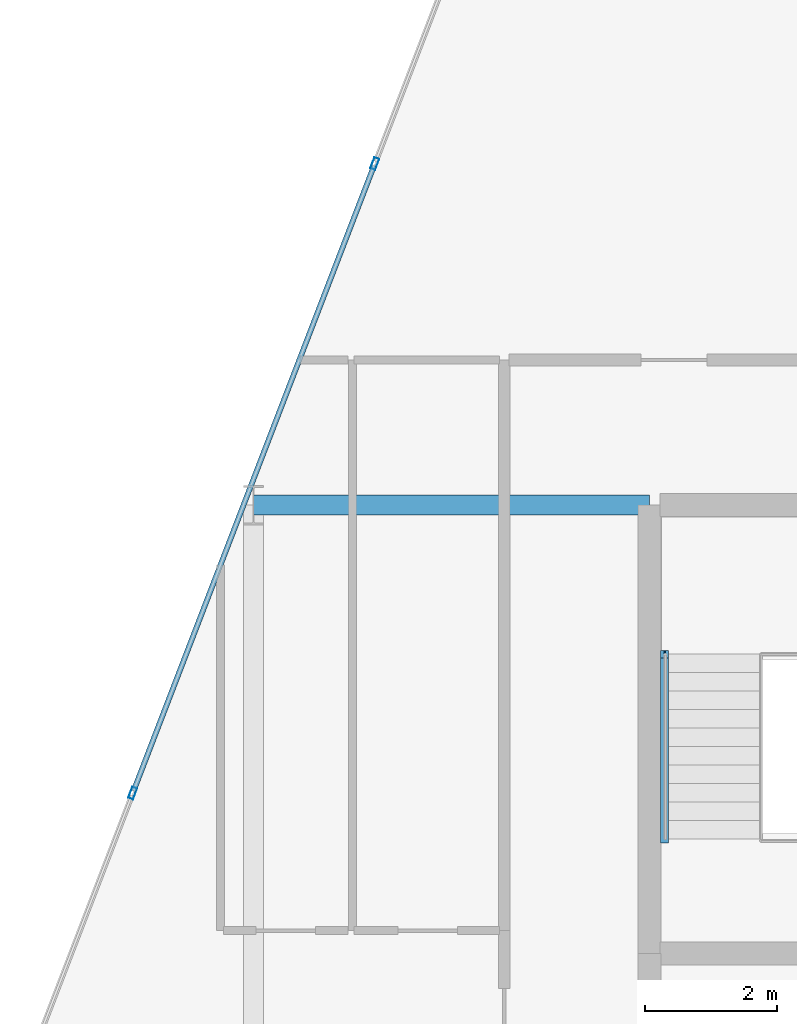
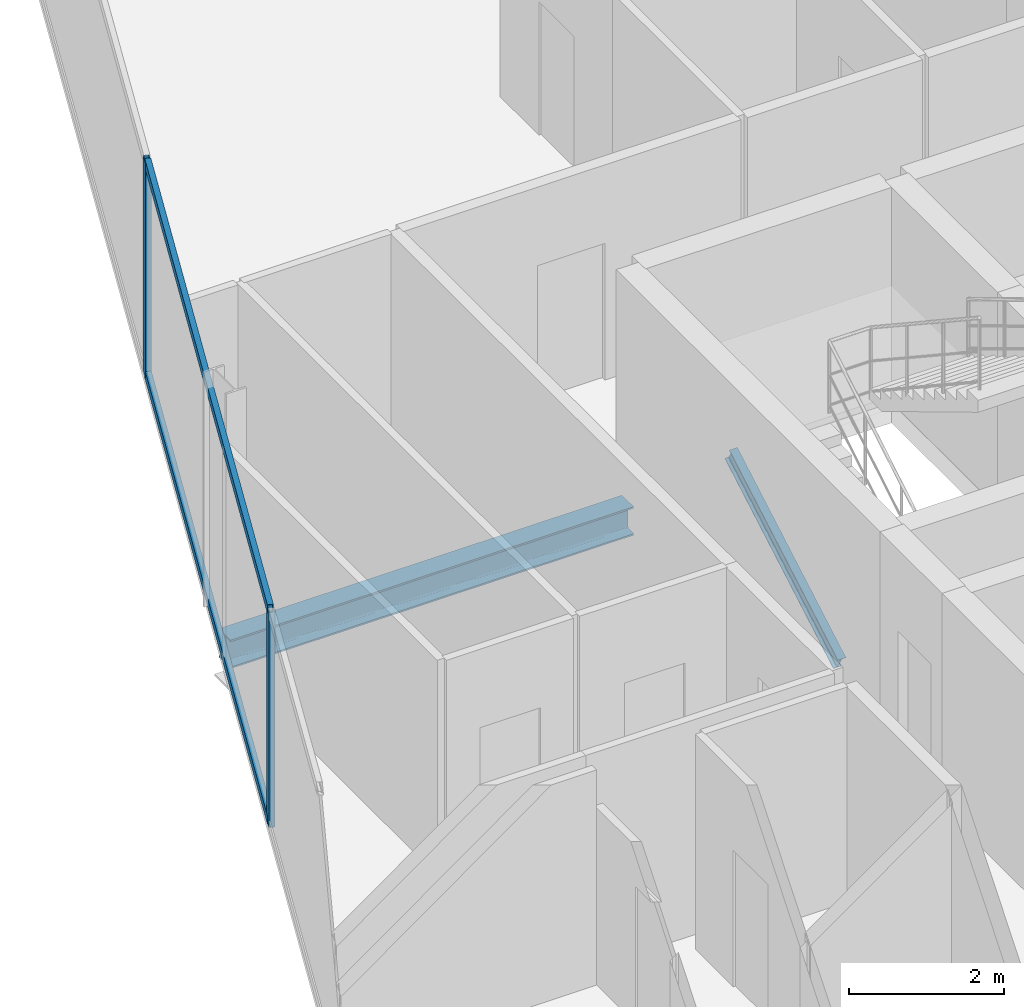
# One storey, part 14 of 29: 5 members, 1 beam, 1 element without a shape of its own.
"""IFC4 building model written with IfcOpenShell, lengths in metres."""

from ifc_helpers import new_model, si_unit, direction, frame, origin, origin_2d, place, context, subcontext, project, spatial, hollow_rectangle, i_section, extrude, material, layer, layer_set, material_profile, profile_set, type_object, element, aggregate, save


model = new_model("IFC4")

# Units and contexts
model_context = context("Model", 3, precision=1e-05, world=origin(), true_north=direction((0.0, 1.0)))
body_context = subcontext(model_context, "Body", "Model", "MODEL_VIEW")
ifc_project = project(units=[si_unit("LENGTHUNIT", "METRE"), si_unit("AREAUNIT", "SQUARE_METRE"), si_unit("VOLUMEUNIT", "CUBIC_METRE"), si_unit("PLANEANGLEUNIT", "RADIAN"), si_unit("MASSUNIT", "GRAM", prefix="KILO")], contexts=[model_context])

# Site, building, storey
site_placement = place(None, origin())
site = spatial("IfcSite", under=ifc_project, at=site_placement, CompositionType="ELEMENT")
building_placement = place(site_placement, origin())
building = spatial("IfcBuilding", under=site, at=building_placement, Name="Keshet Zoharim Tower", CompositionType="ELEMENT")
storey_placement = place(building_placement, frame((0.0, 0.0, 105.699951171875)))
storey = spatial("IfcBuildingStorey", under=building, at=storey_placement, Name="L25", CompositionType="ELEMENT", Elevation=105.699951171875)

# Beam
ifc_material_1 = material(Name="Steel S355", Category="steel")
ifc_material_profile_1 = material_profile(ifc_material_1, i_section(OverallWidth=0.300048828125, OverallDepth=0.449951171875, WebThickness=0.013916015625, FlangeThickness=0.02587890625, FilletRadius=0.027099609375, at=origin_2d()), Name="HEB450")
ifc_profile_set_1 = profile_set([ifc_material_profile_1], Name="Steel S355")
beam_type = type_object("IfcBeamType", Name="BM-WEB-HB450", PredefinedType="BEAM", material=ifc_profile_set_1)
beam_placement = place(storey_placement, frame((9.0, 37.89990234375, -0.5400390625), z_axis=(1.0, 0.0, 0.0), x_axis=(0.0, 1.0, 0.0)))
element("IfcBeam", 1, at=beam_placement, inside=storey, type_object=beam_type, Name="L25 Primary Girder X-018", PredefinedType="BEAM", context=body_context, shape_type="SweptSolid", body=[
    extrude(i_section(OverallWidth=0.300048828125, OverallDepth=0.449951171875, WebThickness=0.013916015625, FlangeThickness=0.02587890625, FilletRadius=0.027099609375, at=origin_2d()), origin(), (0.0, 0.0, 1.0), 6.0),
])

# Curtain wall, members
ifc_material_2 = material(Name="Aluminium 6063-T6", Category="aluminium")
ifc_layer = layer(ifc_material_2, 0.159912109375)
ifc_layer_set = layer_set([ifc_layer], Name="Aluminium 6063-T6")
curtain_wall_type = type_object("IfcCurtainWallType", Name="CW-SYS-03", PredefinedType="NOTDEFINED", material=ifc_layer_set)
curtain_wall_placement = place(storey_placement, origin())
curtain_wall = element("IfcCurtainWall", 2, at=curtain_wall_placement, inside=storey, type_object=curtain_wall_type, Name="L25 Unitised Curtain Wall 10", PredefinedType="NOTDEFINED")
ifc_material_profile_2 = material_profile(ifc_material_2, hollow_rectangle(XDim=0.080078125, YDim=0.179931640625, WallThickness=0.00439453125, at=origin_2d()), Name="MUL-80x180")
ifc_profile_set_2 = profile_set([ifc_material_profile_2], Name="Aluminium 6063-T6")
member_type_1 = type_object("IfcMemberType", Name="CWM-M18", PredefinedType="MULLION", material=ifc_profile_set_2)
member_1_placement = place(storey_placement, frame((7.1669921875, 33.53466796875, 0.0), z_axis=(0.0, 0.0, 1.0), x_axis=(-0.933341404361, 0.358990003907, 0.0)))
member_1 = element("IfcMember", 3, at=member_1_placement, type_object=member_type_1, Name="CW-03 mullion 2", PredefinedType="MULLION", context=body_context, shape_type="SweptSolid", body=[
    extrude(hollow_rectangle(XDim=0.080078125, YDim=0.179931640625, WallThickness=0.00439453125, at=origin_2d()), origin(), (0.0, 0.0, 1.0), 3.385009765625),
])
member_2_placement = place(storey_placement, frame((10.8369140625, 43.076416015625, 0.0), z_axis=(0.0, 0.0, 1.0), x_axis=(-0.933341404361, 0.358990003907, 0.0)))
member_2 = element("IfcMember", 4, at=member_2_placement, type_object=member_type_1, Name="CW-03 mullion 3", PredefinedType="MULLION", context=body_context, shape_type="SweptSolid", body=[
    extrude(hollow_rectangle(XDim=0.080078125, YDim=0.179931640625, WallThickness=0.00439453125, at=origin_2d()), origin(), (0.0, 0.0, 1.0), 3.385009765625),
])
ifc_material_profile_3 = material_profile(ifc_material_2, hollow_rectangle(XDim=0.080078125, YDim=0.139892578125, WallThickness=0.00390625, at=origin_2d()), Name="TRN-80x140")
ifc_profile_set_3 = profile_set([ifc_material_profile_3], Name="Aluminium 6063-T6")
member_type_2 = type_object("IfcMemberType", Name="CWT-T14", PredefinedType="USERDEFINED", material=ifc_profile_set_3)
member_3_placement = place(storey_placement, frame((7.179443359375, 33.5673828125, 0.03515625), z_axis=(0.359003248899, 0.933336309848, 0.0), x_axis=(-0.933336309848, 0.359003248899, 0.0)))
member_3 = element("IfcMember", 5, at=member_3_placement, type_object=member_type_2, Name="CW-03 transom 2.1", ObjectType="TRANSOM", PredefinedType="USERDEFINED", context=body_context, shape_type="SweptSolid", body=[
    extrude(hollow_rectangle(XDim=0.080078125, YDim=0.139892578125, WallThickness=0.00390625, at=origin_2d()), origin(), (0.0, 0.0, 1.0), 10.153076171875),
])
member_4_placement = place(storey_placement, frame((7.179443359375, 33.5673828125, 3.35009765625), z_axis=(0.359003248899, 0.933336309848, 0.0), x_axis=(-0.933336309848, 0.359003248899, 0.0)))
member_4 = element("IfcMember", 6, at=member_4_placement, type_object=member_type_2, Name="CW-03 transom 2.2", ObjectType="TRANSOM", PredefinedType="USERDEFINED", context=body_context, shape_type="SweptSolid", body=[
    extrude(hollow_rectangle(XDim=0.080078125, YDim=0.139892578125, WallThickness=0.00390625, at=origin_2d()), origin(), (0.0, 0.0, 1.0), 10.153076171875),
])
aggregate(curtain_wall, [member_1, member_2, member_3, member_4])

# Member
ifc_material_profile_4 = material_profile(ifc_material_1, i_section(OverallWidth=0.1201171875, OverallDepth=0.239990234375, WebThickness=0.006103515625, FlangeThickness=0.009765625, FilletRadius=0.014892578125, at=origin_2d()), Name="IPE240")
ifc_profile_set_4 = profile_set([ifc_material_profile_4], Name="Steel S355")
member_type_3 = type_object("IfcMemberType", Name="MB-STRG-IP240", PredefinedType="STRINGER", material=ifc_profile_set_4)
member_5_placement = place(storey_placement, frame((15.22998046875, 32.840087890625, 0.1201171875), z_axis=(0.0, 0.866909569656, 0.498465443174), x_axis=(-1.0, 0.0, 0.0)))
element("IfcMember", 7, at=member_5_placement, inside=storey, type_object=member_type_3, Name="L25 ST-02 Flight Steel Stringer", PredefinedType="STRINGER", context=body_context, shape_type="SweptSolid", body=[
    extrude(i_section(OverallWidth=0.1201171875, OverallDepth=0.239990234375, WebThickness=0.006103515625, FlangeThickness=0.009765625, FilletRadius=0.014892578125, at=origin_2d()), origin(), (0.0, 0.0, 1.0), 3.229736328125),
])

save(model, "model.ifc")
